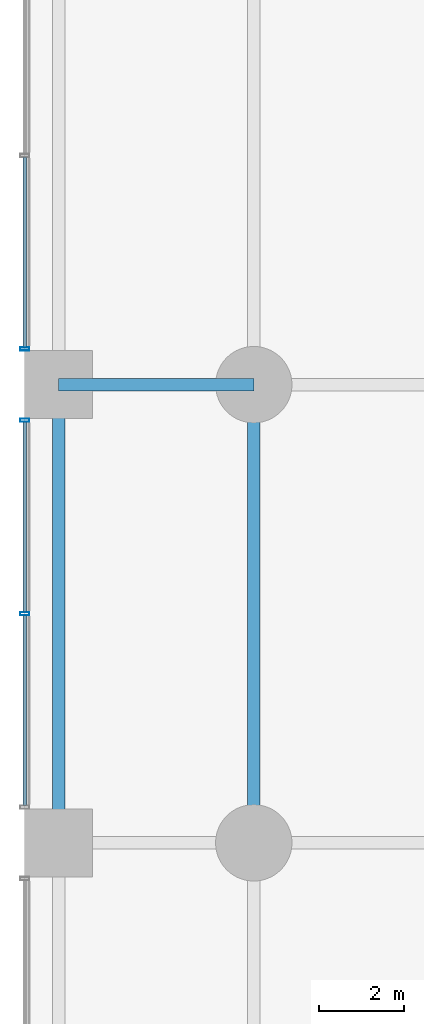
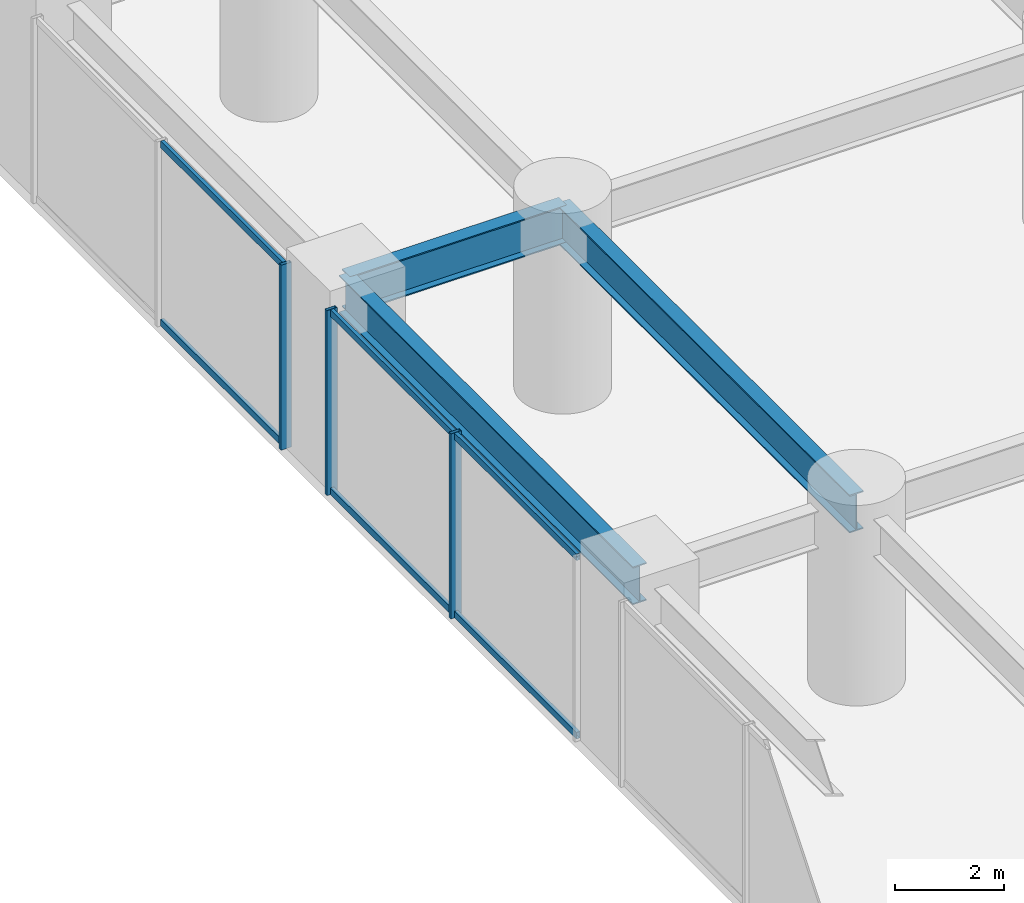
# One storey, part 6 of 35: 9 members, 3 beams, 2 elements without a shape of their own.
"""IFC4 building model written with IfcOpenShell, lengths in metres."""

from ifc_helpers import new_model, si_unit, direction, frame, origin, origin_2d, place, context, subcontext, project, spatial, hollow_rectangle, i_section, extrude, material, layer, layer_set, material_profile, profile_set, type_object, element, aggregate, save


model = new_model("IFC4")

# Units and contexts
model_context = context("Model", 3, precision=1e-05, world=origin(), true_north=direction((0.0, 1.0)))
body_context = subcontext(model_context, "Body", "Model", "MODEL_VIEW")
ifc_project = project(units=[si_unit("LENGTHUNIT", "METRE"), si_unit("AREAUNIT", "SQUARE_METRE"), si_unit("VOLUMEUNIT", "CUBIC_METRE"), si_unit("PLANEANGLEUNIT", "RADIAN"), si_unit("MASSUNIT", "GRAM", prefix="KILO")], contexts=[model_context])

# Site, building, storey
site_placement = place(None, origin())
site = spatial("IfcSite", under=ifc_project, at=site_placement, CompositionType="ELEMENT")
building_placement = place(site_placement, origin())
building = spatial("IfcBuilding", under=site, at=building_placement, Name="Surkhivell Harbour Commons", CompositionType="ELEMENT")
storey_placement = place(building_placement, frame((0.0, 0.0, 13.5)))
storey = spatial("IfcBuildingStorey", under=building, at=storey_placement, Name="L03", CompositionType="ELEMENT", Elevation=13.5)

# Beams
ifc_material_1 = material(Name="Steel S460", Category="steel")
ifc_material_profile_1 = material_profile(ifc_material_1, i_section(OverallWidth=0.2939453125, OverallDepth=0.85107421875, WebThickness=0.01611328125, FlangeThickness=0.02685546875, at=origin_2d()), Name="UB838x292x226")
ifc_profile_set_1 = profile_set([ifc_material_profile_1], Name="Steel S460")
beam_type = type_object("IfcBeamType", Name="BM-SPN-838", PredefinedType="SPANDREL", material=ifc_profile_set_1)
beam_1_placement = place(storey_placement, frame((-37.0, -10.800048828125, 3.724609375), z_axis=(0.0, 1.0, 0.0), x_axis=(-1.0, 0.0, 0.0)))
element("IfcBeam", 1, at=beam_1_placement, inside=storey, type_object=beam_type, Name="L03 Framing Beam (-37.0,-10.8)", PredefinedType="SPANDREL", context=body_context, shape_type="SweptSolid", body=[
    extrude(i_section(OverallWidth=0.2939453125, OverallDepth=0.85107421875, WebThickness=0.01611328125, FlangeThickness=0.02685546875, at=origin_2d()), origin(), (0.0, 0.0, 1.0), 10.800048828125),
])
beam_2_placement = place(storey_placement, frame((-37.0, 0.0, 3.724609375), z_axis=(1.0, 0.0, 0.0), x_axis=(0.0, 1.0, 0.0)))
element("IfcBeam", 2, at=beam_2_placement, inside=storey, type_object=beam_type, Name="L03 Framing Beam (-37.0,0.0)", PredefinedType="SPANDREL", context=body_context, shape_type="SweptSolid", body=[
    extrude(i_section(OverallWidth=0.2939453125, OverallDepth=0.85107421875, WebThickness=0.01611328125, FlangeThickness=0.02685546875, at=origin_2d()), origin(), (0.0, 0.0, 1.0), 4.60009765625),
])
beam_3_placement = place(storey_placement, frame((-32.39990234375, -10.800048828125, 3.724609375), z_axis=(0.0, 1.0, 0.0), x_axis=(-1.0, 0.0, 0.0)))
element("IfcBeam", 3, at=beam_3_placement, inside=storey, type_object=beam_type, Name="L03 Framing Beam (-32.4,-10.8)", PredefinedType="SPANDREL", context=body_context, shape_type="SweptSolid", body=[
    extrude(i_section(OverallWidth=0.2939453125, OverallDepth=0.85107421875, WebThickness=0.01611328125, FlangeThickness=0.02685546875, at=origin_2d()), origin(), (0.0, 0.0, 1.0), 10.800048828125),
])

# Curtain wall, members
ifc_material_2 = material(Name="Anodised pale-metal aluminium and insulated glazing", Category="aluminium")
ifc_layer = layer(ifc_material_2, 0.239990234375)
ifc_layer_set = layer_set([ifc_layer], Name="Anodised pale-metal aluminium and insulated glazing")
curtain_wall_type = type_object("IfcCurtainWallType", Name="CW-SYS-POD", PredefinedType="NOTDEFINED", material=ifc_layer_set)
curtain_wall_1_placement = place(storey_placement, origin())
curtain_wall_1 = element("IfcCurtainWall", 4, at=curtain_wall_1_placement, inside=storey, type_object=curtain_wall_type, Name="L03 Curtain Wall CW-L03-W3", PredefinedType="NOTDEFINED")
ifc_material_3 = material(Name="Anodised pale-metal aluminium alloy 6063-T6", Category="aluminium")
ifc_material_profile_2 = material_profile(ifc_material_3, hollow_rectangle(XDim=0.074951171875, YDim=0.219970703125, WallThickness=0.00390625, at=origin_2d()), Name="ALU-MULL-75x220")
ifc_profile_set_2 = profile_set([ifc_material_profile_2], Name="Anodised pale-metal aluminium alloy 6063-T6")
member_type_1 = type_object("IfcMemberType", Name="CWM-220", PredefinedType="MULLION", material=ifc_profile_set_2)
member_1_placement = place(storey_placement, frame((-37.800048828125, -5.39990234375, 0.0), z_axis=(0.0, 0.0, 1.0), x_axis=(0.0, 1.0, 0.0)))
member_1 = element("IfcMember", 5, at=member_1_placement, type_object=member_type_1, Name="CW-POD mullion 2", PredefinedType="MULLION", context=body_context, shape_type="SweptSolid", body=[
    extrude(hollow_rectangle(XDim=0.074951171875, YDim=0.219970703125, WallThickness=0.00390625, at=origin_2d()), origin(), (0.0, 0.0, 1.0), 4.14990234375),
])
member_2_placement = place(storey_placement, frame((-37.800048828125, -0.839599609375, 0.0), z_axis=(0.0, 0.0, 1.0), x_axis=(0.0, 1.0, 0.0)))
member_2 = element("IfcMember", 6, at=member_2_placement, type_object=member_type_1, Name="CW-POD mullion 3", PredefinedType="MULLION", context=body_context, shape_type="SweptSolid", body=[
    extrude(hollow_rectangle(XDim=0.074951171875, YDim=0.219970703125, WallThickness=0.00390625, at=origin_2d()), origin(), (0.0, 0.0, 1.0), 4.14990234375),
])

# Curtain wall, member
curtain_wall_2_placement = place(storey_placement, origin())
curtain_wall_2 = element("IfcCurtainWall", 7, at=curtain_wall_2_placement, inside=storey, type_object=curtain_wall_type, Name="L03 Curtain Wall CW-L03-W4", PredefinedType="NOTDEFINED")
member_3_placement = place(storey_placement, frame((-37.800048828125, 0.839599609375, 0.0), z_axis=(0.0, 0.0, 1.0), x_axis=(0.0, 1.0, 0.0)))
member_3 = element("IfcMember", 8, at=member_3_placement, type_object=member_type_1, Name="CW-POD mullion 1", PredefinedType="MULLION", context=body_context, shape_type="SweptSolid", body=[
    extrude(hollow_rectangle(XDim=0.074951171875, YDim=0.219970703125, WallThickness=0.00390625, at=origin_2d()), origin(), (0.0, 0.0, 1.0), 4.14990234375),
])

# Member
ifc_material_profile_3 = material_profile(ifc_material_3, hollow_rectangle(XDim=0.074951171875, YDim=0.14990234375, WallThickness=0.00341796875, at=origin_2d()), Name="ALU-TRAN-75x150")
ifc_profile_set_3 = profile_set([ifc_material_profile_3], Name="Anodised pale-metal aluminium alloy 6063-T6")
member_type_2 = type_object("IfcMemberType", Name="CWT-150", PredefinedType="USERDEFINED", material=ifc_profile_set_3)
member_4_placement = place(storey_placement, frame((-37.800048828125, -9.923095703125, 0.074951171875), z_axis=(0.0, 1.0, 0.0), x_axis=(-1.0, 0.0, 0.0)))
member_4 = element("IfcMember", 9, at=member_4_placement, type_object=member_type_2, Name="CW-POD transom 1.1", ObjectType="TRANSOM", PredefinedType="USERDEFINED", context=body_context, shape_type="SweptSolid", body=[
    extrude(hollow_rectangle(XDim=0.074951171875, YDim=0.14990234375, WallThickness=0.00341796875, at=origin_2d()), origin(), (0.0, 0.0, 1.0), 4.485595703125),
])

member_5_placement = place(storey_placement, frame((-37.800048828125, -9.923095703125, 4.074951171875), z_axis=(0.0, 1.0, 0.0), x_axis=(-1.0, 0.0, 0.0)))
member_5 = element("IfcMember", 10, at=member_5_placement, type_object=member_type_2, Name="CW-POD transom 1.2", ObjectType="TRANSOM", PredefinedType="USERDEFINED", context=body_context, shape_type="SweptSolid", body=[
    extrude(hollow_rectangle(XDim=0.074951171875, YDim=0.14990234375, WallThickness=0.00341796875, at=origin_2d()), origin(), (0.0, 0.0, 1.0), 4.485595703125),
])

member_6_placement = place(storey_placement, frame((-37.800048828125, -5.362548828125, 0.074951171875), z_axis=(0.0, 1.0, 0.0), x_axis=(-1.0, 0.0, 0.0)))
member_6 = element("IfcMember", 11, at=member_6_placement, type_object=member_type_2, Name="CW-POD transom 2.1", ObjectType="TRANSOM", PredefinedType="USERDEFINED", context=body_context, shape_type="SweptSolid", body=[
    extrude(hollow_rectangle(XDim=0.074951171875, YDim=0.14990234375, WallThickness=0.00341796875, at=origin_2d()), origin(), (0.0, 0.0, 1.0), 4.485595703125),
])

member_7_placement = place(storey_placement, frame((-37.800048828125, -5.362548828125, 4.074951171875), z_axis=(0.0, 1.0, 0.0), x_axis=(-1.0, 0.0, 0.0)))
member_7 = element("IfcMember", 12, at=member_7_placement, type_object=member_type_2, Name="CW-POD transom 2.2", ObjectType="TRANSOM", PredefinedType="USERDEFINED", context=body_context, shape_type="SweptSolid", body=[
    extrude(hollow_rectangle(XDim=0.074951171875, YDim=0.14990234375, WallThickness=0.00341796875, at=origin_2d()), origin(), (0.0, 0.0, 1.0), 4.485595703125),
])

aggregate(curtain_wall_1, [member_1, member_2, member_4, member_5, member_6, member_7])

member_8_placement = place(storey_placement, frame((-37.800048828125, 0.876953125, 0.074951171875), z_axis=(0.0, 1.0, 0.0), x_axis=(-1.0, 0.0, 0.0)))
member_8 = element("IfcMember", 13, at=member_8_placement, type_object=member_type_2, Name="CW-POD transom 1.1", ObjectType="TRANSOM", PredefinedType="USERDEFINED", context=body_context, shape_type="SweptSolid", body=[
    extrude(hollow_rectangle(XDim=0.074951171875, YDim=0.14990234375, WallThickness=0.00341796875, at=origin_2d()), origin(), (0.0, 0.0, 1.0), 4.485595703125),
])

member_9_placement = place(storey_placement, frame((-37.800048828125, 0.876953125, 4.074951171875), z_axis=(0.0, 1.0, 0.0), x_axis=(-1.0, 0.0, 0.0)))
member_9 = element("IfcMember", 14, at=member_9_placement, type_object=member_type_2, Name="CW-POD transom 1.2", ObjectType="TRANSOM", PredefinedType="USERDEFINED", context=body_context, shape_type="SweptSolid", body=[
    extrude(hollow_rectangle(XDim=0.074951171875, YDim=0.14990234375, WallThickness=0.00341796875, at=origin_2d()), origin(), (0.0, 0.0, 1.0), 4.485595703125),
])

aggregate(curtain_wall_2, [member_3, member_8, member_9])

save(model, "model.ifc")
